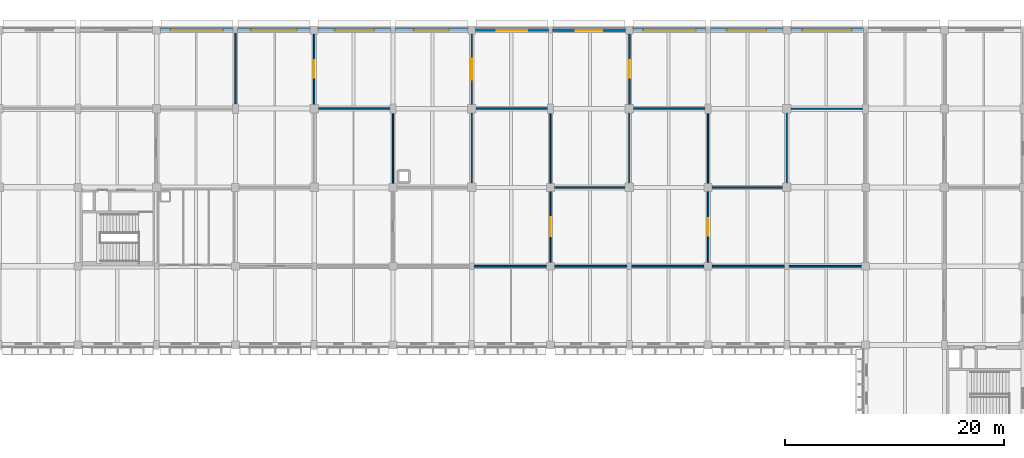
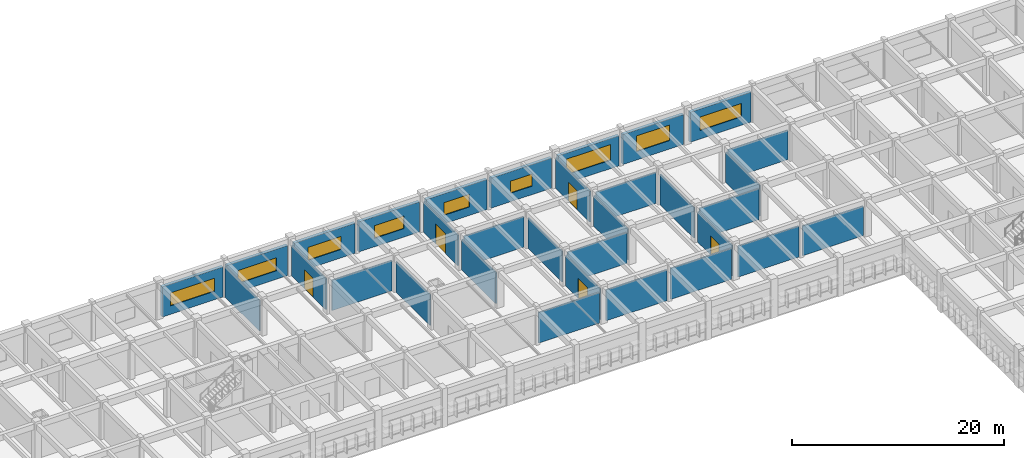
# One storey, part 48 of 61: 32 walls, 9 windows, 5 doors, 14 openings.
"""IFC4 building model written with IfcOpenShell, lengths in metres."""

from ifc_helpers import new_model, si_unit, direction, frame, frame_2d, origin, place, context, subcontext, project, spatial, rectangle, extrude, material, layer, layer_set, type_object, element, fill, save


model = new_model("IFC4")

# Units and contexts
model_context = context("Model", 3, precision=1e-05, world=origin(), true_north=direction((0.0, 1.0)))
body_context = subcontext(model_context, "Body", "Model", "MODEL_VIEW")
ifc_project = project(units=[si_unit("LENGTHUNIT", "METRE"), si_unit("AREAUNIT", "SQUARE_METRE"), si_unit("VOLUMEUNIT", "CUBIC_METRE"), si_unit("PLANEANGLEUNIT", "RADIAN"), si_unit("MASSUNIT", "GRAM", prefix="KILO")], contexts=[model_context])

# Site, building, storey
site_placement = place(None, origin())
site = spatial("IfcSite", under=ifc_project, at=site_placement, CompositionType="ELEMENT")
building_placement = place(site_placement, origin())
building = spatial("IfcBuilding", under=site, at=building_placement, Name="Thalmaran Polytechnic", CompositionType="ELEMENT")
storey_placement = place(building_placement, frame((0.0, 0.0, 9.89990234375)))
storey = spatial("IfcBuildingStorey", under=building, at=storey_placement, Name="L02", CompositionType="ELEMENT", Elevation=9.89990234375)

# Wall, opening, window
ifc_material_1 = material(Name="Precast concrete C40/50", Category="concrete")
ifc_layer_1 = layer(ifc_material_1, 0.330078125, Name="Precast concrete C40/50")
ifc_layer_set_1 = layer_set([ifc_layer_1], Name="Precast concrete C40/50")
wall_type_1 = type_object("IfcWallType", Name="WL-EW02", PredefinedType="STANDARD", material=ifc_layer_set_1)
wall_1_placement = place(storey_placement, frame((65.159912109375, 122.39990234375, 0.0), z_axis=(0.0, 0.0, 1.0), x_axis=(1.0, 0.0, 0.0)))
wall_1 = element("IfcWall", 1, at=wall_1_placement, inside=storey, type_object=wall_type_1, Name="Exterior Precast Facade Wall L02-037", PredefinedType="STANDARD", context=body_context, shape_type="SweptSolid", body=[
    extrude(rectangle(XDim=6.64013671875, YDim=0.330078125, at=frame_2d((3.320068359375, 0.0))), origin(), (0.0, 0.0, 1.0), 3.47021484375),
])
opening_1_placement = place(wall_1_placement, frame((0.919921875, 0.0, 0.97998046875)))
opening_1 = element("IfcOpeningElement", 2, at=opening_1_placement, cuts=wall_1, Name="Opening RW01", PredefinedType="OPENING", context=body_context, shape_type="SweptSolid", body=[
    extrude(rectangle(XDim=4.800048828125, YDim=1.5, at=frame_2d((2.39990234375, 0.75))), frame((0.0, 0.175048828125, 0.0), z_axis=(0.0, -1.0, 0.0), x_axis=(1.0, 0.0, 0.0)), (0.0, 0.0, 1.0), 0.35009765625),
])
ifc_material_2 = material(Name="Thermally broken aluminium and double low-E glass", Category="aluminium")
window_type_1 = type_object("IfcWindowType", Name="WN-RW01", PartitioningType="TRIPLE_PANEL_HORIZONTAL", PredefinedType="WINDOW", material=ifc_material_2)
window_1_placement = place(opening_1_placement, origin())
window_1 = element("IfcWindow", 3, at=window_1_placement, inside=storey, type_object=window_type_1, Name="Streamline Ribbon Window W-0237", OverallHeight=1.5, OverallWidth=4.800048828125, PartitioningType="SINGLE_PANEL", PredefinedType="WINDOW", context=body_context, shape_type="SweptSolid", body=[
    extrude(rectangle(XDim=4.800048828125, YDim=1.5, at=frame_2d((2.39990234375, 0.75))), frame((0.0, -0.030029296875, 0.0), z_axis=(0.0, -1.0, 0.0), x_axis=(1.0, 0.0, 0.0)), (0.0, 0.0, 1.0), 0.06005859375),
])
fill(opening_1, window_1)

wall_2_placement = place(storey_placement, frame((72.199951171875, 122.39990234375, 0.0), z_axis=(0.0, 0.0, 1.0), x_axis=(1.0, 0.0, 0.0)))
wall_2 = element("IfcWall", 4, at=wall_2_placement, inside=storey, type_object=wall_type_1, Name="Exterior Precast Facade Wall L02-038", PredefinedType="STANDARD", context=body_context, shape_type="SweptSolid", body=[
    extrude(rectangle(XDim=6.64013671875, YDim=0.330078125, at=frame_2d((3.320068359375, 0.0))), origin(), (0.0, 0.0, 1.0), 3.47021484375),
])
opening_2_placement = place(wall_2_placement, frame((1.219970703125, 0.0, 0.97998046875)))
opening_2 = element("IfcOpeningElement", 5, at=opening_2_placement, cuts=wall_2, Name="Opening RW02", PredefinedType="OPENING", context=body_context, shape_type="SweptSolid", body=[
    extrude(rectangle(XDim=4.199951171875, YDim=1.5, at=frame_2d((2.10009765625, 0.75))), frame((0.0, 0.175048828125, 0.0), z_axis=(0.0, -1.0, 0.0), x_axis=(1.0, 0.0, 0.0)), (0.0, 0.0, 1.0), 0.35009765625),
])
window_type_2 = type_object("IfcWindowType", Name="WN-RW02", PartitioningType="TRIPLE_PANEL_HORIZONTAL", PredefinedType="WINDOW", material=ifc_material_2)
window_2_placement = place(opening_2_placement, origin())
window_2 = element("IfcWindow", 6, at=window_2_placement, inside=storey, type_object=window_type_2, Name="Streamline Ribbon Window W-0238", OverallHeight=1.5, OverallWidth=4.199951171875, PartitioningType="SINGLE_PANEL", PredefinedType="WINDOW", context=body_context, shape_type="SweptSolid", body=[
    extrude(rectangle(XDim=4.199951171875, YDim=1.5, at=frame_2d((2.10009765625, 0.75))), frame((0.0, -0.030029296875, 0.0), z_axis=(0.0, -1.0, 0.0), x_axis=(1.0, 0.0, 0.0)), (0.0, 0.0, 1.0), 0.06005859375),
])
fill(opening_2, window_2)

wall_3_placement = place(storey_placement, frame((79.56005859375, 122.39990234375, 0.0), z_axis=(0.0, 0.0, 1.0), x_axis=(1.0, 0.0, 0.0)))
wall_3 = element("IfcWall", 7, at=wall_3_placement, inside=storey, type_object=wall_type_1, Name="Exterior Precast Facade Wall L02-039", PredefinedType="STANDARD", context=body_context, shape_type="SweptSolid", body=[
    extrude(rectangle(XDim=6.639892578125, YDim=0.330078125, at=frame_2d((3.31982421875, 0.0))), origin(), (0.0, 0.0, 1.0), 3.47021484375),
])
opening_3_placement = place(wall_3_placement, frame((1.52001953125, 0.0, 0.97998046875)))
opening_3 = element("IfcOpeningElement", 8, at=opening_3_placement, cuts=wall_3, Name="Opening RW03", PredefinedType="OPENING", context=body_context, shape_type="SweptSolid", body=[
    extrude(rectangle(XDim=3.60009765625, YDim=1.5, at=frame_2d((1.800048828125, 0.75))), frame((0.0, 0.175048828125, 0.0), z_axis=(0.0, -1.0, 0.0), x_axis=(1.0, 0.0, 0.0)), (0.0, 0.0, 1.0), 0.35009765625),
])
window_type_3 = type_object("IfcWindowType", Name="WN-RW03", PartitioningType="DOUBLE_PANEL_VERTICAL", PredefinedType="WINDOW", material=ifc_material_2)
window_3_placement = place(opening_3_placement, origin())
window_3 = element("IfcWindow", 9, at=window_3_placement, inside=storey, type_object=window_type_3, Name="Streamline Ribbon Window W-0239", OverallHeight=1.5, OverallWidth=3.60009765625, PartitioningType="SINGLE_PANEL", PredefinedType="WINDOW", context=body_context, shape_type="SweptSolid", body=[
    extrude(rectangle(XDim=3.60009765625, YDim=1.5, at=frame_2d((1.800048828125, 0.75))), frame((0.0, -0.030029296875, 0.0), z_axis=(0.0, -1.0, 0.0), x_axis=(1.0, 0.0, 0.0)), (0.0, 0.0, 1.0), 0.06005859375),
])
fill(opening_3, window_3)

wall_4_placement = place(storey_placement, frame((86.60009765625, 122.39990234375, 0.0), z_axis=(0.0, 0.0, 1.0), x_axis=(1.0, 0.0, 0.0)))
wall_4 = element("IfcWall", 10, at=wall_4_placement, inside=storey, type_object=wall_type_1, Name="Exterior Precast Facade Wall L02-040", PredefinedType="STANDARD", context=body_context, shape_type="SweptSolid", body=[
    extrude(rectangle(XDim=6.639892578125, YDim=0.330078125, at=frame_2d((3.31982421875, 0.0))), origin(), (0.0, 0.0, 1.0), 3.47021484375),
])
opening_4_placement = place(wall_4_placement, frame((1.719970703125, 0.0, 0.97998046875)))
opening_4 = element("IfcOpeningElement", 11, at=opening_4_placement, cuts=wall_4, Name="Opening RW04", PredefinedType="OPENING", context=body_context, shape_type="SweptSolid", body=[
    extrude(rectangle(XDim=3.199951171875, YDim=1.449951171875, at=frame_2d((1.60009765625, 0.72509765625))), frame((0.0, 0.175048828125, 0.0), z_axis=(0.0, -1.0, 0.0), x_axis=(1.0, 0.0, 0.0)), (0.0, 0.0, 1.0), 0.35009765625),
])
window_type_4 = type_object("IfcWindowType", Name="WN-RW04", PartitioningType="DOUBLE_PANEL_VERTICAL", PredefinedType="WINDOW", material=ifc_material_2)
window_4_placement = place(opening_4_placement, origin())
window_4 = element("IfcWindow", 12, at=window_4_placement, inside=storey, type_object=window_type_4, Name="Streamline Ribbon Window W-0240", OverallHeight=1.449951171875, OverallWidth=3.199951171875, PartitioningType="SINGLE_PANEL", PredefinedType="WINDOW", context=body_context, shape_type="SweptSolid", body=[
    extrude(rectangle(XDim=3.199951171875, YDim=1.449951171875, at=frame_2d((1.60009765625, 0.72509765625))), frame((0.0, -0.030029296875, 0.0), z_axis=(0.0, -1.0, 0.0), x_axis=(1.0, 0.0, 0.0)), (0.0, 0.0, 1.0), 0.06005859375),
])
fill(opening_4, window_4)

wall_5_placement = place(storey_placement, frame((93.9599609375, 122.39990234375, 0.0), z_axis=(0.0, 0.0, 1.0), x_axis=(1.0, 0.0, 0.0)))
wall_5 = element("IfcWall", 13, at=wall_5_placement, inside=storey, type_object=wall_type_1, Name="Exterior Precast Facade Wall L02-041", PredefinedType="STANDARD", context=body_context, shape_type="SweptSolid", body=[
    extrude(rectangle(XDim=6.64013671875, YDim=0.330078125, at=frame_2d((3.320068359375, 0.0))), origin(), (0.0, 0.0, 1.0), 3.47021484375),
])
opening_5_placement = place(wall_5_placement, frame((1.919921875, 0.0, 0.97998046875)))
opening_5 = element("IfcOpeningElement", 14, at=opening_5_placement, cuts=wall_5, Name="Opening RW05", PredefinedType="OPENING", context=body_context, shape_type="SweptSolid", body=[
    extrude(rectangle(XDim=2.800048828125, YDim=1.449951171875, at=frame_2d((1.39990234375, 0.72509765625))), frame((0.0, 0.175048828125, 0.0), z_axis=(0.0, -1.0, 0.0), x_axis=(1.0, 0.0, 0.0)), (0.0, 0.0, 1.0), 0.35009765625),
])
window_type_5 = type_object("IfcWindowType", Name="WN-RW05", PartitioningType="DOUBLE_PANEL_VERTICAL", PredefinedType="WINDOW", material=ifc_material_2)
window_5_placement = place(opening_5_placement, origin())
window_5 = element("IfcWindow", 15, at=window_5_placement, inside=storey, type_object=window_type_5, Name="Streamline Ribbon Window W-0241", OverallHeight=1.449951171875, OverallWidth=2.800048828125, PartitioningType="SINGLE_PANEL", PredefinedType="WINDOW", context=body_context, shape_type="SweptSolid", body=[
    extrude(rectangle(XDim=2.800048828125, YDim=1.449951171875, at=frame_2d((1.39990234375, 0.72509765625))), frame((0.0, -0.030029296875, 0.0), z_axis=(0.0, -1.0, 0.0), x_axis=(1.0, 0.0, 0.0)), (0.0, 0.0, 1.0), 0.06005859375),
])
fill(opening_5, window_5)

wall_6_placement = place(storey_placement, frame((101.0, 122.39990234375, 0.0), z_axis=(0.0, 0.0, 1.0), x_axis=(1.0, 0.0, 0.0)))
wall_6 = element("IfcWall", 16, at=wall_6_placement, inside=storey, type_object=wall_type_1, Name="Exterior Precast Facade Wall L02-042", PredefinedType="STANDARD", context=body_context, shape_type="SweptSolid", body=[
    extrude(rectangle(XDim=6.639892578125, YDim=0.330078125, at=frame_2d((3.31982421875, 0.0))), origin(), (0.0, 0.0, 1.0), 3.47021484375),
])
opening_6_placement = place(wall_6_placement, frame((2.1201171875, 0.0, 0.97998046875)))
opening_6 = element("IfcOpeningElement", 17, at=opening_6_placement, cuts=wall_6, Name="Opening RW06", PredefinedType="OPENING", context=body_context, shape_type="SweptSolid", body=[
    extrude(rectangle(XDim=2.39990234375, YDim=1.39990234375, at=frame_2d((1.199951171875, 0.699951171875))), frame((0.0, 0.175048828125, 0.0), z_axis=(0.0, -1.0, 0.0), x_axis=(1.0, 0.0, 0.0)), (0.0, 0.0, 1.0), 0.35009765625),
])
window_type_6 = type_object("IfcWindowType", Name="WN-RW06", PartitioningType="DOUBLE_PANEL_VERTICAL", PredefinedType="WINDOW", material=ifc_material_2)
window_6_placement = place(opening_6_placement, origin())
window_6 = element("IfcWindow", 18, at=window_6_placement, inside=storey, type_object=window_type_6, Name="Streamline Ribbon Window W-0242", OverallHeight=1.39990234375, OverallWidth=2.39990234375, PartitioningType="SINGLE_PANEL", PredefinedType="WINDOW", context=body_context, shape_type="SweptSolid", body=[
    extrude(rectangle(XDim=2.39990234375, YDim=1.39990234375, at=frame_2d((1.199951171875, 0.699951171875))), frame((0.0, -0.030029296875, 0.0), z_axis=(0.0, -1.0, 0.0), x_axis=(1.0, 0.0, 0.0)), (0.0, 0.0, 1.0), 0.06005859375),
])
fill(opening_6, window_6)

wall_7_placement = place(storey_placement, frame((108.360107421875, 122.39990234375, 0.0), z_axis=(0.0, 0.0, 1.0), x_axis=(1.0, 0.0, 0.0)))
wall_7 = element("IfcWall", 19, at=wall_7_placement, inside=storey, type_object=wall_type_1, Name="Exterior Precast Facade Wall L02-043", PredefinedType="STANDARD", context=body_context, shape_type="SweptSolid", body=[
    extrude(rectangle(XDim=6.639892578125, YDim=0.330078125, at=frame_2d((3.31982421875, 0.0))), origin(), (0.0, 0.0, 1.0), 3.47021484375),
])
opening_7_placement = place(wall_7_placement, frame((0.919921875, 0.0, 0.97998046875)))
opening_7 = element("IfcOpeningElement", 20, at=opening_7_placement, cuts=wall_7, Name="Opening RW07", PredefinedType="OPENING", context=body_context, shape_type="SweptSolid", body=[
    extrude(rectangle(XDim=4.800048828125, YDim=1.800048828125, at=frame_2d((2.39990234375, 0.89990234375))), frame((0.0, 0.175048828125, 0.0), z_axis=(0.0, -1.0, 0.0), x_axis=(1.0, 0.0, 0.0)), (0.0, 0.0, 1.0), 0.35009765625),
])
window_type_7 = type_object("IfcWindowType", Name="WN-RW07", PartitioningType="TRIPLE_PANEL_HORIZONTAL", PredefinedType="WINDOW", material=ifc_material_2)
window_7_placement = place(opening_7_placement, origin())
window_7 = element("IfcWindow", 21, at=window_7_placement, inside=storey, type_object=window_type_7, Name="Streamline Ribbon Window W-0243", OverallHeight=1.800048828125, OverallWidth=4.800048828125, PartitioningType="SINGLE_PANEL", PredefinedType="WINDOW", context=body_context, shape_type="SweptSolid", body=[
    extrude(rectangle(XDim=4.800048828125, YDim=1.800048828125, at=frame_2d((2.39990234375, 0.89990234375))), frame((0.0, -0.030029296875, 0.0), z_axis=(0.0, -1.0, 0.0), x_axis=(1.0, 0.0, 0.0)), (0.0, 0.0, 1.0), 0.06005859375),
])
fill(opening_7, window_7)

wall_8_placement = place(storey_placement, frame((115.39990234375, 122.39990234375, 0.0), z_axis=(0.0, 0.0, 1.0), x_axis=(1.0, 0.0, 0.0)))
wall_8 = element("IfcWall", 22, at=wall_8_placement, inside=storey, type_object=wall_type_1, Name="Exterior Precast Facade Wall L02-044", PredefinedType="STANDARD", context=body_context, shape_type="SweptSolid", body=[
    extrude(rectangle(XDim=6.64013671875, YDim=0.330078125, at=frame_2d((3.320068359375, 0.0))), origin(), (0.0, 0.0, 1.0), 3.460205078125),
])
opening_8_placement = place(wall_8_placement, frame((1.52001953125, 0.0, 0.97998046875)))
opening_8 = element("IfcOpeningElement", 23, at=opening_8_placement, cuts=wall_8, Name="Opening RW08", PredefinedType="OPENING", context=body_context, shape_type="SweptSolid", body=[
    extrude(rectangle(XDim=3.60009765625, YDim=1.800048828125, at=frame_2d((1.800048828125, 0.89990234375))), frame((0.0, 0.175048828125, 0.0), z_axis=(0.0, -1.0, 0.0), x_axis=(1.0, 0.0, 0.0)), (0.0, 0.0, 1.0), 0.35009765625),
])
window_type_8 = type_object("IfcWindowType", Name="WN-RW08", PartitioningType="DOUBLE_PANEL_VERTICAL", PredefinedType="WINDOW", material=ifc_material_2)
window_8_placement = place(opening_8_placement, origin())
window_8 = element("IfcWindow", 24, at=window_8_placement, inside=storey, type_object=window_type_8, Name="Streamline Ribbon Window W-0244", OverallHeight=1.800048828125, OverallWidth=3.60009765625, PartitioningType="SINGLE_PANEL", PredefinedType="WINDOW", context=body_context, shape_type="SweptSolid", body=[
    extrude(rectangle(XDim=3.60009765625, YDim=1.800048828125, at=frame_2d((1.800048828125, 0.89990234375))), frame((0.0, -0.030029296875, 0.0), z_axis=(0.0, -1.0, 0.0), x_axis=(1.0, 0.0, 0.0)), (0.0, 0.0, 1.0), 0.06005859375),
])
fill(opening_8, window_8)

wall_9_placement = place(storey_placement, frame((122.760009765625, 122.39990234375, 0.0), z_axis=(0.0, 0.0, 1.0), x_axis=(1.0, 0.0, 0.0)))
wall_9 = element("IfcWall", 25, at=wall_9_placement, inside=storey, type_object=wall_type_1, Name="Exterior Precast Facade Wall L02-045", PredefinedType="STANDARD", context=body_context, shape_type="SweptSolid", body=[
    extrude(rectangle(XDim=6.639892578125, YDim=0.330078125, at=frame_2d((3.31982421875, 0.0))), origin(), (0.0, 0.0, 1.0), 3.460205078125),
])
opening_9_placement = place(wall_9_placement, frame((1.070068359375, 0.0, 0.97998046875)))
opening_9 = element("IfcOpeningElement", 26, at=opening_9_placement, cuts=wall_9, Name="Opening VW01", PredefinedType="OPENING", context=body_context, shape_type="SweptSolid", body=[
    extrude(rectangle(XDim=4.5, YDim=1.550048828125, at=frame_2d((2.25, 0.77490234375))), frame((0.0, 0.175048828125, 0.0), z_axis=(0.0, -1.0, 0.0), x_axis=(1.0, 0.0, 0.0)), (0.0, 0.0, 1.0), 0.35009765625),
])
window_type_9 = type_object("IfcWindowType", Name="WN-VZ01", PartitioningType="TRIPLE_PANEL_HORIZONTAL", PredefinedType="WINDOW", material=ifc_material_2)
window_9_placement = place(opening_9_placement, origin())
window_9 = element("IfcWindow", 27, at=window_9_placement, inside=storey, type_object=window_type_9, Name="Streamline Ribbon Window W-0245", OverallHeight=1.550048828125, OverallWidth=4.5, PartitioningType="SINGLE_PANEL", PredefinedType="WINDOW", context=body_context, shape_type="SweptSolid", body=[
    extrude(rectangle(XDim=4.5, YDim=1.550048828125, at=frame_2d((2.25, 0.77490234375))), frame((0.0, -0.030029296875, 0.0), z_axis=(0.0, -1.0, 0.0), x_axis=(1.0, 0.0, 0.0)), (0.0, 0.0, 1.0), 0.06005859375),
])
fill(opening_9, window_9)

# Walls
ifc_material_3 = material(Name="Gypsum acoustic partition")
ifc_layer_2 = layer(ifc_material_3, 0.14501953125, Name="Gypsum acoustic partition")
ifc_layer_set_2 = layer_set([ifc_layer_2], Name="Gypsum acoustic partition")
wall_type_2 = type_object("IfcWallType", Name="WL-IW06", PredefinedType="PARTITIONING", material=ifc_layer_set_2)
wall_10_placement = place(storey_placement, frame((93.804931640625, 100.800048828125, 0.0), z_axis=(0.0, 0.0, 1.0), x_axis=(1.0, 0.0, 0.0)))
element("IfcWall", 28, at=wall_10_placement, inside=storey, type_object=wall_type_2, Name="Interior Partition IW06 L02-091", PredefinedType="PARTITIONING", context=body_context, shape_type="SweptSolid", body=[
    extrude(rectangle(XDim=6.630126953125, YDim=0.14501953125, at=frame_2d((3.31494140625, 0.0))), origin(), (0.0, 0.0, 1.0), 3.525146484375),
])
wall_11_placement = place(storey_placement, frame((101.1650390625, 100.800048828125, 0.0), z_axis=(0.0, 0.0, 1.0), x_axis=(1.0, 0.0, 0.0)))
element("IfcWall", 29, at=wall_11_placement, inside=storey, type_object=wall_type_2, Name="Interior Partition IW06 L02-097", PredefinedType="PARTITIONING", context=body_context, shape_type="SweptSolid", body=[
    extrude(rectangle(XDim=6.6298828125, YDim=0.14501953125, at=frame_2d((3.31494140625, 0.0))), origin(), (0.0, 0.0, 1.0), 3.565185546875),
])
wall_12_placement = place(storey_placement, frame((108.205078125, 100.800048828125, 0.0), z_axis=(0.0, 0.0, 1.0), x_axis=(1.0, 0.0, 0.0)))
element("IfcWall", 30, at=wall_12_placement, inside=storey, type_object=wall_type_2, Name="Interior Partition IW06 L02-101", PredefinedType="PARTITIONING", context=body_context, shape_type="SweptSolid", body=[
    extrude(rectangle(XDim=6.6298828125, YDim=0.14501953125, at=frame_2d((3.31494140625, 0.0))), origin(), (0.0, 0.0, 1.0), 3.5751953125),
])
wall_13_placement = place(storey_placement, frame((115.56494140625, 100.800048828125, 0.0), z_axis=(0.0, 0.0, 1.0), x_axis=(1.0, 0.0, 0.0)))
element("IfcWall", 31, at=wall_13_placement, inside=storey, type_object=wall_type_2, Name="Interior Partition IW06 L02-105", PredefinedType="PARTITIONING", context=body_context, shape_type="SweptSolid", body=[
    extrude(rectangle(XDim=6.630126953125, YDim=0.14501953125, at=frame_2d((3.31494140625, 0.0))), origin(), (0.0, 0.0, 1.0), 3.5751953125),
])
wall_14_placement = place(storey_placement, frame((122.60498046875, 100.800048828125, 0.0), z_axis=(0.0, 0.0, 1.0), x_axis=(1.0, 0.0, 0.0)))
element("IfcWall", 32, at=wall_14_placement, inside=storey, type_object=wall_type_2, Name="Interior Partition IW06 L02-108", PredefinedType="PARTITIONING", context=body_context, shape_type="SweptSolid", body=[
    extrude(rectangle(XDim=6.630126953125, YDim=0.14501953125, at=frame_2d((3.31494140625, 0.0))), origin(), (0.0, 0.0, 1.0), 3.4150390625),
])
ifc_layer_3 = layer(ifc_material_3, 0.1298828125, Name="Gypsum acoustic partition")
ifc_layer_set_3 = layer_set([ifc_layer_3], Name="Gypsum acoustic partition")
wall_type_3 = type_object("IfcWallType", Name="WL-IW07", PredefinedType="PARTITIONING", material=ifc_layer_set_3)
wall_15_placement = place(storey_placement, frame((72.0, 115.6298828125, 0.0), z_axis=(0.0, 0.0, 1.0), x_axis=(0.0, 1.0, 0.0)))
element("IfcWall", 33, at=wall_15_placement, inside=storey, type_object=wall_type_3, Name="Interior Partition IW07 L02-078", PredefinedType="PARTITIONING", context=body_context, shape_type="SweptSolid", body=[
    extrude(rectangle(XDim=6.465087890625, YDim=0.1298828125, at=frame_2d((3.232421875, 0.0))), origin(), (0.0, 0.0, 1.0), 3.530029296875),
])

# Wall, opening, door
wall_16_placement = place(storey_placement, frame((79.199951171875, 115.580078125, 0.0), z_axis=(0.0, 0.0, 1.0), x_axis=(0.0, 1.0, 0.0)))
wall_16 = element("IfcWall", 34, at=wall_16_placement, inside=storey, type_object=wall_type_3, Name="Interior Partition IW07 L02-082", PredefinedType="PARTITIONING", context=body_context, shape_type="SweptSolid", body=[
    extrude(rectangle(XDim=6.454833984375, YDim=0.1298828125, at=frame_2d((3.2275390625, 0.0))), origin(), (0.0, 0.0, 1.0), 3.530029296875),
])
opening_10_placement = place(wall_16_placement, frame((2.427490234375, 0.0, 0.0)))
opening_10 = element("IfcOpeningElement", 35, at=opening_10_placement, cuts=wall_16, Name="Opening D-L02-024-2-11-1", PredefinedType="OPENING", context=body_context, shape_type="SweptSolid", body=[
    extrude(rectangle(XDim=1.60009765625, YDim=2.199951171875, at=frame_2d((0.800048828125, 1.10009765625))), frame((0.0, 0.074951171875, 0.0), z_axis=(0.0, -1.0, 0.0), x_axis=(1.0, 0.0, 0.0)), (0.0, 0.0, 1.0), 0.14990234375),
])
ifc_material_4 = material(Name="Powder-coated fire-rated steel", Category="steel")
door_type_1 = type_object("IfcDoorType", Name="DR-FD05", OperationType="NOTDEFINED", PredefinedType="DOOR", material=ifc_material_4)
door_1_placement = place(opening_10_placement, origin())
door_1 = element("IfcDoor", 36, at=door_1_placement, inside=storey, type_object=door_type_1, Name="Library Book Stacks L02-11 Door 1", OperationType="DOUBLE_DOOR_SINGLE_SWING", OverallHeight=2.199951171875, OverallWidth=1.60009765625, PredefinedType="DOOR", context=body_context, shape_type="SweptSolid", body=[
    extrude(rectangle(XDim=1.60009765625, YDim=2.199951171875, at=frame_2d((0.800048828125, 1.10009765625))), frame((0.0, 0.02490234375, 0.0), z_axis=(0.0, -1.0, 0.0), x_axis=(1.0, 0.0, 0.0)), (0.0, 0.0, 1.0), 0.050048828125),
])
fill(opening_10, door_1)

# Wall
wall_17_placement = place(storey_placement, frame((79.580078125, 115.199951171875, 0.0), z_axis=(0.0, 0.0, 1.0), x_axis=(1.0, 0.0, 0.0)))
element("IfcWall", 37, at=wall_17_placement, inside=storey, type_object=wall_type_3, Name="Interior Partition IW07 L02-086", PredefinedType="PARTITIONING", context=body_context, shape_type="SweptSolid", body=[
    extrude(rectangle(XDim=6.5400390625, YDim=0.1298828125, at=frame_2d((3.27001953125, 0.0))), origin(), (0.0, 0.0, 1.0), 3.5),
])

# Wall, opening, door
wall_18_placement = place(storey_placement, frame((93.60009765625, 115.580078125, 0.0), z_axis=(0.0, 0.0, 1.0), x_axis=(0.0, 1.0, 0.0)))
wall_18 = element("IfcWall", 38, at=wall_18_placement, inside=storey, type_object=wall_type_3, Name="Interior Partition IW07 L02-090", PredefinedType="PARTITIONING", context=body_context, shape_type="SweptSolid", body=[
    extrude(rectangle(XDim=6.454833984375, YDim=0.1298828125, at=frame_2d((3.2275390625, 0.0))), origin(), (0.0, 0.0, 1.0), 3.530029296875),
])
opening_11_placement = place(wall_18_placement, frame((2.267578125, 0.0, 0.0)))
opening_11 = element("IfcOpeningElement", 39, at=opening_11_placement, cuts=wall_18, Name="Opening D-L02-026-2-13-1", PredefinedType="OPENING", context=body_context, shape_type="SweptSolid", body=[
    extrude(rectangle(XDim=1.919921875, YDim=2.35009765625, at=frame_2d((0.9599609375, 1.175048828125))), frame((0.0, 0.074951171875, 0.0), z_axis=(0.0, -1.0, 0.0), x_axis=(1.0, 0.0, 0.0)), (0.0, 0.0, 1.0), 0.14990234375),
])
ifc_material_5 = material(Name="Acoustic hardwood and vision glass", Category="wood")
door_type_2 = type_object("IfcDoorType", Name="DR-ZD01", OperationType="NOTDEFINED", PredefinedType="DOOR", material=ifc_material_5)
door_2_placement = place(opening_11_placement, origin())
door_2 = element("IfcDoor", 40, at=door_2_placement, inside=storey, type_object=door_type_2, Name="Seminar Room L02-13 Door 1", OperationType="SINGLE_SWING_LEFT", OverallHeight=2.35009765625, OverallWidth=1.919921875, PredefinedType="DOOR", context=body_context, shape_type="SweptSolid", body=[
    extrude(rectangle(XDim=1.919921875, YDim=2.35009765625, at=frame_2d((0.9599609375, 1.175048828125))), frame((0.0, 0.02490234375, 0.0), z_axis=(0.0, -1.0, 0.0), x_axis=(1.0, 0.0, 0.0)), (0.0, 0.0, 1.0), 0.050048828125),
])
fill(opening_11, door_2)

wall_19_placement = place(storey_placement, frame((100.800048828125, 101.1650390625, 0.0), z_axis=(0.0, 0.0, 1.0), x_axis=(0.0, 1.0, 0.0)))
wall_19 = element("IfcWall", 41, at=wall_19_placement, inside=storey, type_object=wall_type_3, Name="Interior Partition IW07 L02-092", PredefinedType="PARTITIONING", context=body_context, shape_type="SweptSolid", body=[
    extrude(rectangle(XDim=6.47998046875, YDim=0.1298828125, at=frame_2d((3.239990234375, 0.0))), origin(), (0.0, 0.0, 1.0), 3.5400390625),
])
opening_12_placement = place(wall_19_placement, frame((2.360107421875, 0.0, 0.0)))
opening_12 = element("IfcOpeningElement", 42, at=opening_12_placement, cuts=wall_19, Name="Opening D-L02-027-2-14-1", PredefinedType="OPENING", context=body_context, shape_type="SweptSolid", body=[
    extrude(rectangle(XDim=1.760009765625, YDim=2.300048828125, at=frame_2d((0.8798828125, 1.14990234375))), frame((0.0, 0.074951171875, 0.0), z_axis=(0.0, -1.0, 0.0), x_axis=(1.0, 0.0, 0.0)), (0.0, 0.0, 1.0), 0.14990234375),
])
door_type_3 = type_object("IfcDoorType", Name="DR-ZD02", OperationType="NOTDEFINED", PredefinedType="DOOR", material=ifc_material_5)
door_3_placement = place(opening_12_placement, origin())
door_3 = element("IfcDoor", 43, at=door_3_placement, inside=storey, type_object=door_type_3, Name="Urban Design Studio L02-14 Door 1", OperationType="SINGLE_SWING_RIGHT", OverallHeight=2.300048828125, OverallWidth=1.760009765625, PredefinedType="DOOR", context=body_context, shape_type="SweptSolid", body=[
    extrude(rectangle(XDim=1.760009765625, YDim=2.300048828125, at=frame_2d((0.8798828125, 1.14990234375))), frame((0.0, 0.02490234375, 0.0), z_axis=(0.0, -1.0, 0.0), x_axis=(1.0, 0.0, 0.0)), (0.0, 0.0, 1.0), 0.050048828125),
])
fill(opening_12, door_3)

# Walls
wall_20_placement = place(storey_placement, frame((93.97998046875, 115.199951171875, 0.0), z_axis=(0.0, 0.0, 1.0), x_axis=(1.0, 0.0, 0.0)))
element("IfcWall", 44, at=wall_20_placement, inside=storey, type_object=wall_type_3, Name="Interior Partition IW07 L02-094", PredefinedType="PARTITIONING", context=body_context, shape_type="SweptSolid", body=[
    extrude(rectangle(XDim=6.5400390625, YDim=0.1298828125, at=frame_2d((3.27001953125, 0.0))), origin(), (0.0, 0.0, 1.0), 3.525146484375),
])
wall_21_placement = place(storey_placement, frame((101.155029296875, 108.0, 0.0), z_axis=(0.0, 0.0, 1.0), x_axis=(1.0, 0.0, 0.0)))
element("IfcWall", 45, at=wall_21_placement, inside=storey, type_object=wall_type_3, Name="Interior Partition IW07 L02-098", PredefinedType="PARTITIONING", context=body_context, shape_type="SweptSolid", body=[
    extrude(rectangle(XDim=6.449951171875, YDim=0.1298828125, at=frame_2d((3.22509765625, 0.0))), origin(), (0.0, 0.0, 1.0), 3.565185546875),
])

# Wall, opening, door
wall_22_placement = place(storey_placement, frame((108.0, 115.580078125, 0.0), z_axis=(0.0, 0.0, 1.0), x_axis=(0.0, 1.0, 0.0)))
wall_22 = element("IfcWall", 46, at=wall_22_placement, inside=storey, type_object=wall_type_3, Name="Interior Partition IW07 L02-100", PredefinedType="PARTITIONING", context=body_context, shape_type="SweptSolid", body=[
    extrude(rectangle(XDim=6.454833984375, YDim=0.1298828125, at=frame_2d((3.2275390625, 0.0))), origin(), (0.0, 0.0, 1.0), 3.530029296875),
])
opening_13_placement = place(wall_22_placement, frame((2.427490234375, 0.0, 0.0)))
opening_13 = element("IfcOpeningElement", 47, at=opening_13_placement, cuts=wall_22, Name="Opening D-L02-028-2-15-1", PredefinedType="OPENING", context=body_context, shape_type="SweptSolid", body=[
    extrude(rectangle(XDim=1.60009765625, YDim=2.199951171875, at=frame_2d((0.800048828125, 1.10009765625))), frame((0.0, 0.074951171875, 0.0), z_axis=(0.0, -1.0, 0.0), x_axis=(1.0, 0.0, 0.0)), (0.0, 0.0, 1.0), 0.14990234375),
])
door_4_placement = place(opening_13_placement, origin())
door_4 = element("IfcDoor", 48, at=door_4_placement, inside=storey, type_object=door_type_1, Name="Technical Reference Library Reading Room L02-15 Door 1", OperationType="DOUBLE_DOOR_SINGLE_SWING", OverallHeight=2.199951171875, OverallWidth=1.60009765625, PredefinedType="DOOR", context=body_context, shape_type="SweptSolid", body=[
    extrude(rectangle(XDim=1.60009765625, YDim=2.199951171875, at=frame_2d((0.800048828125, 1.10009765625))), frame((0.0, 0.02490234375, 0.0), z_axis=(0.0, -1.0, 0.0), x_axis=(1.0, 0.0, 0.0)), (0.0, 0.0, 1.0), 0.050048828125),
])
fill(opening_13, door_4)

wall_23_placement = place(storey_placement, frame((115.199951171875, 101.1650390625, 0.0), z_axis=(0.0, 0.0, 1.0), x_axis=(0.0, 1.0, 0.0)))
wall_23 = element("IfcWall", 49, at=wall_23_placement, inside=storey, type_object=wall_type_3, Name="Interior Partition IW07 L02-102", PredefinedType="PARTITIONING", context=body_context, shape_type="SweptSolid", body=[
    extrude(rectangle(XDim=6.47998046875, YDim=0.1298828125, at=frame_2d((3.239990234375, 0.0))), origin(), (0.0, 0.0, 1.0), 3.530029296875),
])
opening_14_placement = place(wall_23_placement, frame((2.43994140625, 0.0, 0.0)))
opening_14 = element("IfcOpeningElement", 50, at=opening_14_placement, cuts=wall_23, Name="Opening D-L02-029-2-16-1", PredefinedType="OPENING", context=body_context, shape_type="SweptSolid", body=[
    extrude(rectangle(XDim=1.60009765625, YDim=2.199951171875, at=frame_2d((0.800048828125, 1.10009765625))), frame((0.0, 0.074951171875, 0.0), z_axis=(0.0, -1.0, 0.0), x_axis=(1.0, 0.0, 0.0)), (0.0, 0.0, 1.0), 0.14990234375),
])
door_5_placement = place(opening_14_placement, origin())
door_5 = element("IfcDoor", 51, at=door_5_placement, inside=storey, type_object=door_type_1, Name="Polytechnic Library Reading Hall L02-16 Door 1", OperationType="DOUBLE_DOOR_SINGLE_SWING", OverallHeight=2.199951171875, OverallWidth=1.60009765625, PredefinedType="DOOR", context=body_context, shape_type="SweptSolid", body=[
    extrude(rectangle(XDim=1.60009765625, YDim=2.199951171875, at=frame_2d((0.800048828125, 1.10009765625))), frame((0.0, 0.02490234375, 0.0), z_axis=(0.0, -1.0, 0.0), x_axis=(1.0, 0.0, 0.0)), (0.0, 0.0, 1.0), 0.050048828125),
])
fill(opening_14, door_5)

# Walls
wall_24_placement = place(storey_placement, frame((108.3798828125, 115.199951171875, 0.0), z_axis=(0.0, 0.0, 1.0), x_axis=(1.0, 0.0, 0.0)))
element("IfcWall", 52, at=wall_24_placement, inside=storey, type_object=wall_type_3, Name="Interior Partition IW07 L02-104", PredefinedType="PARTITIONING", context=body_context, shape_type="SweptSolid", body=[
    extrude(rectangle(XDim=6.5400390625, YDim=0.1298828125, at=frame_2d((3.27001953125, 0.0))), origin(), (0.0, 0.0, 1.0), 3.5751953125),
])
wall_25_placement = place(storey_placement, frame((115.554931640625, 108.0, 0.0), z_axis=(0.0, 0.0, 1.0), x_axis=(1.0, 0.0, 0.0)))
element("IfcWall", 53, at=wall_25_placement, inside=storey, type_object=wall_type_3, Name="Interior Partition IW07 L02-106", PredefinedType="PARTITIONING", context=body_context, shape_type="SweptSolid", body=[
    extrude(rectangle(XDim=6.449951171875, YDim=0.1298828125, at=frame_2d((3.22509765625, 0.0))), origin(), (0.0, 0.0, 1.0), 3.5751953125),
])
ifc_layer_4 = layer(ifc_material_3, 0.114990234375, Name="Gypsum acoustic partition")
ifc_layer_set_4 = layer_set([ifc_layer_4], Name="Gypsum acoustic partition")
wall_type_4 = type_object("IfcWallType", Name="WL-IW08", PredefinedType="PARTITIONING", material=ifc_layer_set_4)
wall_26_placement = place(storey_placement, frame((86.39990234375, 108.35498046875, 0.0), z_axis=(0.0, 0.0, 1.0), x_axis=(0.0, 1.0, 0.0)))
element("IfcWall", 54, at=wall_26_placement, inside=storey, type_object=wall_type_4, Name="Interior Partition IW08 L02-085", PredefinedType="PARTITIONING", context=body_context, shape_type="SweptSolid", body=[
    extrude(rectangle(XDim=6.4150390625, YDim=0.114990234375, at=frame_2d((3.20751953125, 0.0))), origin(), (0.0, 0.0, 1.0), 3.53515625),
])
wall_27_placement = place(storey_placement, frame((93.60009765625, 108.39501953125, 0.0), z_axis=(0.0, 0.0, 1.0), x_axis=(0.0, 1.0, 0.0)))
element("IfcWall", 55, at=wall_27_placement, inside=storey, type_object=wall_type_4, Name="Interior Partition IW08 L02-089", PredefinedType="PARTITIONING", context=body_context, shape_type="SweptSolid", body=[
    extrude(rectangle(XDim=6.425048828125, YDim=0.114990234375, at=frame_2d((3.21240234375, 0.0))), origin(), (0.0, 0.0, 1.0), 3.53515625),
])
wall_28_placement = place(storey_placement, frame((100.800048828125, 108.35498046875, 0.0), z_axis=(0.0, 0.0, 1.0), x_axis=(0.0, 1.0, 0.0)))
element("IfcWall", 56, at=wall_28_placement, inside=storey, type_object=wall_type_4, Name="Interior Partition IW08 L02-093", PredefinedType="PARTITIONING", context=body_context, shape_type="SweptSolid", body=[
    extrude(rectangle(XDim=6.4150390625, YDim=0.114990234375, at=frame_2d((3.20751953125, 0.0))), origin(), (0.0, 0.0, 1.0), 3.53515625),
])
wall_29_placement = place(storey_placement, frame((108.0, 108.39501953125, 0.0), z_axis=(0.0, 0.0, 1.0), x_axis=(0.0, 1.0, 0.0)))
element("IfcWall", 57, at=wall_29_placement, inside=storey, type_object=wall_type_4, Name="Interior Partition IW08 L02-099", PredefinedType="PARTITIONING", context=body_context, shape_type="SweptSolid", body=[
    extrude(rectangle(XDim=6.425048828125, YDim=0.114990234375, at=frame_2d((3.21240234375, 0.0))), origin(), (0.0, 0.0, 1.0), 3.53515625),
])
wall_30_placement = place(storey_placement, frame((115.199951171875, 108.35498046875, 0.0), z_axis=(0.0, 0.0, 1.0), x_axis=(0.0, 1.0, 0.0)))
element("IfcWall", 58, at=wall_30_placement, inside=storey, type_object=wall_type_4, Name="Interior Partition IW08 L02-103", PredefinedType="PARTITIONING", context=body_context, shape_type="SweptSolid", body=[
    extrude(rectangle(XDim=6.4150390625, YDim=0.114990234375, at=frame_2d((3.20751953125, 0.0))), origin(), (0.0, 0.0, 1.0), 3.525146484375),
])
wall_31_placement = place(storey_placement, frame((122.39990234375, 108.39501953125, 0.0), z_axis=(0.0, 0.0, 1.0), x_axis=(0.0, 1.0, 0.0)))
element("IfcWall", 59, at=wall_31_placement, inside=storey, type_object=wall_type_4, Name="Interior Partition IW08 L02-107", PredefinedType="PARTITIONING", context=body_context, shape_type="SweptSolid", body=[
    extrude(rectangle(XDim=6.425048828125, YDim=0.114990234375, at=frame_2d((3.21240234375, 0.0))), origin(), (0.0, 0.0, 1.0), 3.525146484375),
])
wall_32_placement = place(storey_placement, frame((122.780029296875, 115.199951171875, 0.0), z_axis=(0.0, 0.0, 1.0), x_axis=(1.0, 0.0, 0.0)))
element("IfcWall", 60, at=wall_32_placement, inside=storey, type_object=wall_type_4, Name="Interior Partition IW08 L02-111", PredefinedType="PARTITIONING", context=body_context, shape_type="SweptSolid", body=[
    extrude(rectangle(XDim=6.5400390625, YDim=0.114990234375, at=frame_2d((3.27001953125, 0.0))), origin(), (0.0, 0.0, 1.0), 3.4150390625),
])

save(model, "model.ifc")
